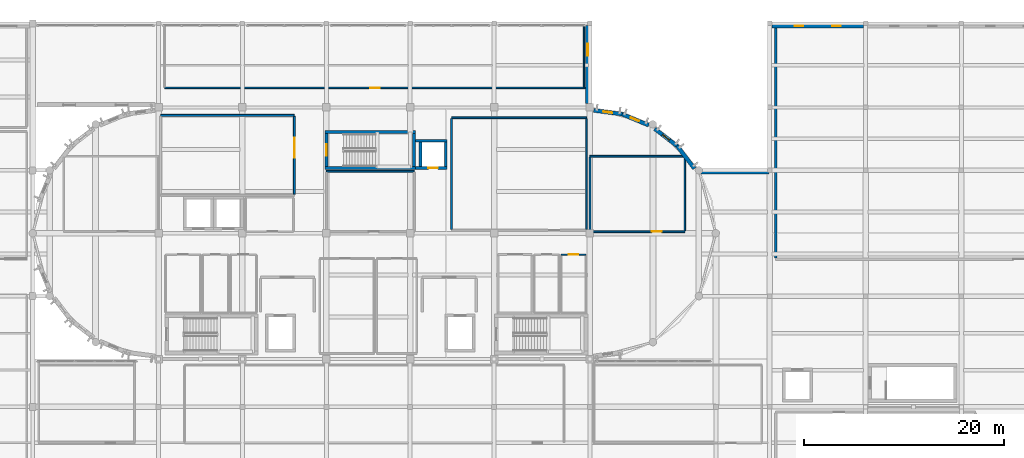
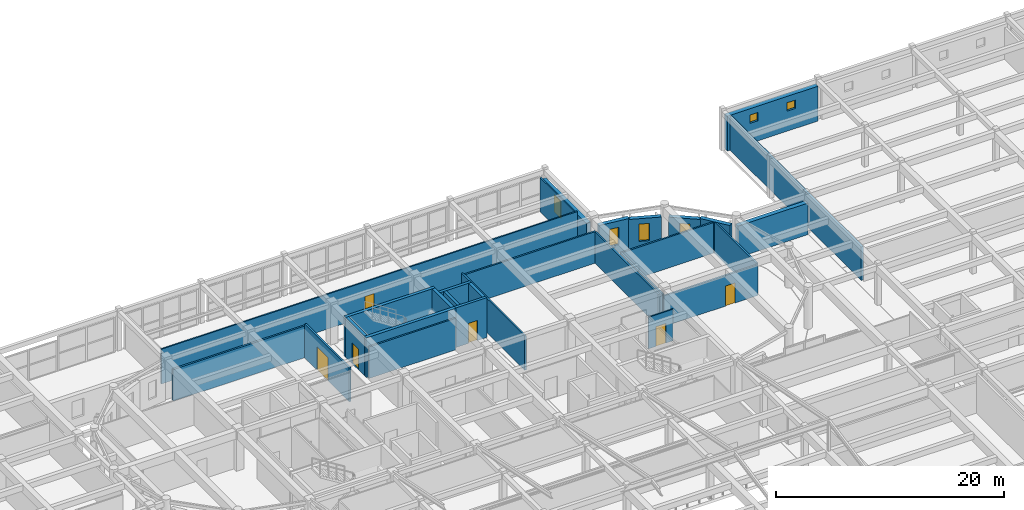
# One storey, part 72 of 91: 29 walls, 6 doors, 6 windows, 12 openings.
"""IFC4 building model written with IfcOpenShell, lengths in metres."""

from ifc_helpers import new_model, si_unit, direction, frame, frame_2d, origin, place, context, subcontext, project, spatial, rectangle, extrude, material, layer, layer_set, type_object, element, fill, save


model = new_model("IFC4")

# Units and contexts
model_context = context("Model", 3, precision=1e-05, world=origin(), true_north=direction((0.0, 1.0)))
body_context = subcontext(model_context, "Body", "Model", "MODEL_VIEW")
ifc_project = project(units=[si_unit("LENGTHUNIT", "METRE"), si_unit("AREAUNIT", "SQUARE_METRE"), si_unit("VOLUMEUNIT", "CUBIC_METRE"), si_unit("PLANEANGLEUNIT", "RADIAN"), si_unit("MASSUNIT", "GRAM", prefix="KILO")], contexts=[model_context])

# Site, building, storey
site_placement = place(None, origin())
site = spatial("IfcSite", under=ifc_project, at=site_placement, CompositionType="ELEMENT")
building_placement = place(site_placement, origin())
building = spatial("IfcBuilding", under=site, at=building_placement, Name="Tarnavel Promenade Courthouse", CompositionType="ELEMENT")
storey_placement = place(building_placement, frame((0.0, 0.0, 9.89990234375)))
storey = spatial("IfcBuildingStorey", under=building, at=storey_placement, Name="L03", CompositionType="ELEMENT", Elevation=9.89990234375)

# Walls
ifc_material_1 = material(Name="Acoustic Insulated Gypsum Stud Partition", Category="gypsum")
ifc_layer_1 = layer(ifc_material_1, 0.1650390625)
ifc_layer_set_1 = layer_set([ifc_layer_1], Name="Acoustic Insulated Gypsum Stud Partition")
wall_type_1 = type_object("IfcWallType", Name="Acoustic Insulated Gypsum Stud Partition WL-CHM-165 (165 mm)", PredefinedType="PARTITIONING", material=ifc_layer_set_1)
wall_1_placement = place(storey_placement, frame((75.60009765625, 98.0, 0.0), z_axis=(0.0, 0.0, 1.0), x_axis=(1.0, 0.0, 0.0)))
element("IfcWall", 1, at=wall_1_placement, inside=storey, type_object=wall_type_1, Name="L03 L03 Judicial Panel Deliberation Salon Partition 0532", PredefinedType="PARTITIONING", context=body_context, shape_type="SweptSolid", body=[
    extrude(rectangle(XDim=8.7998046875, YDim=0.1650390625, at=frame_2d((4.39990234375, 0.0))), origin(), (0.0, 0.0, 1.0), 3.380126953125),
])
wall_2_placement = place(storey_placement, frame((88.139892578125, 103.360107421875, 0.0), z_axis=(0.0, 0.0, 1.0), x_axis=(1.0, 0.0, 0.0)))
element("IfcWall", 2, at=wall_2_placement, inside=storey, type_object=wall_type_1, Name="L03 Sequestered Jury Room Central Partition 0536", PredefinedType="PARTITIONING", context=body_context, shape_type="SweptSolid", body=[
    extrude(rectangle(XDim=13.52001953125, YDim=0.1650390625, at=frame_2d((6.760009765625, 0.0))), origin(), (0.0, 0.0, 1.0), 3.380126953125),
])
wall_3_placement = place(storey_placement, frame((88.139892578125, 92.1826171875, 0.0), z_axis=(0.0, 0.0, 1.0), x_axis=(0.0, 1.0, 0.0)))
element("IfcWall", 3, at=wall_3_placement, inside=storey, type_object=wall_type_1, Name="L03 Sequestered Jury Room Central Partition 0538", PredefinedType="PARTITIONING", context=body_context, shape_type="SweptSolid", body=[
    extrude(rectangle(XDim=11.0849609375, YDim=0.1650390625, at=frame_2d((5.54248046875, 0.0))), origin(), (0.0, 0.0, 1.0), 3.68017578125),
])
wall_4_placement = place(storey_placement, frame((101.659912109375, 103.267578125, 0.0), z_axis=(0.0, 0.0, 1.0), x_axis=(0.0, -1.0, 0.0)))
element("IfcWall", 4, at=wall_4_placement, inside=storey, type_object=wall_type_1, Name="L03 Sequestered Jury Room Central Partition 0539", PredefinedType="PARTITIONING", context=body_context, shape_type="SweptSolid", body=[
    extrude(rectangle(XDim=11.0849609375, YDim=0.1650390625, at=frame_2d((5.54248046875, 0.0))), origin(), (0.0, 0.0, 1.0), 3.380126953125),
])
wall_5_placement = place(storey_placement, frame((102.0, 99.5, 0.0), z_axis=(0.0, 0.0, 1.0), x_axis=(1.0, 0.0, 0.0)))
element("IfcWall", 5, at=wall_5_placement, inside=storey, type_object=wall_type_1, Name="L03 L03 East Drum Rotunda Jury North Partition 0552", PredefinedType="PARTITIONING", context=body_context, shape_type="SweptSolid", body=[
    extrude(rectangle(XDim=9.5, YDim=0.1650390625, at=frame_2d((4.75, 0.0))), origin(), (0.0, 0.0, 1.0), 3.280029296875),
])

# Wall, opening, door
wall_6_placement = place(storey_placement, frame((111.5, 91.949951171875, 0.0), z_axis=(0.0, 0.0, 1.0), x_axis=(-1.0, 0.0, 0.0)))
wall_6 = element("IfcWall", 6, at=wall_6_placement, inside=storey, type_object=wall_type_1, Name="L03 L03 East Drum Rotunda Jury North Partition 0553", PredefinedType="PARTITIONING", context=body_context, shape_type="SweptSolid", body=[
    extrude(rectangle(XDim=9.5, YDim=0.1650390625, at=frame_2d((4.75, 0.0))), origin(), (0.0, 0.0, 1.0), 3.280029296875),
])
opening_1_placement = place(wall_6_placement, frame((2.300048828125, 0.0, 0.0)))
opening_1 = element("IfcOpeningElement", 7, at=opening_1_placement, cuts=wall_6, Name="Opening ID-03", PredefinedType="OPENING", context=body_context, shape_type="SweptSolid", body=[
    extrude(rectangle(XDim=1.0, YDim=2.14990234375, at=frame_2d((0.5, 1.074951171875))), frame((0.0, 0.092529296875, 0.0), z_axis=(0.0, -1.0, 0.0), x_axis=(1.0, 0.0, 0.0)), (0.0, 0.0, 1.0), 0.18505859375),
])
ifc_material_2 = material(Name="Acoustic Solid-Core Oak Jury Room Door")
door_type_1 = type_object("IfcDoorType", Name="Acoustic Solid-Core Oak Jury Room Door (DR-JRY-1000x2150)", OperationType="NOTDEFINED", PredefinedType="DOOR", material=ifc_material_2)
door_1_placement = place(opening_1_placement, origin())
door_1 = element("IfcDoor", 8, at=door_1_placement, inside=storey, type_object=door_type_1, Name="L03 L03 East Drum Rotunda Jury North Door 0158", OperationType="SINGLE_SWING_LEFT", OverallHeight=2.14990234375, OverallWidth=1.0, PredefinedType="DOOR", context=body_context, shape_type="SweptSolid", body=[
    extrude(rectangle(XDim=1.0, YDim=2.14990234375, at=frame_2d((0.5, 1.074951171875))), frame((0.0, 0.02490234375, 0.0), z_axis=(0.0, -1.0, 0.0), x_axis=(1.0, 0.0, 0.0)), (0.0, 0.0, 1.0), 0.050048828125),
])
fill(opening_1, door_1)

# Walls
for number, where, z_axis, x_axis, name in (
    (9, (102.0, 92.04248046875, 0.0), (0.0, 0.0, 1.0), (0.0, 1.0, 0.0), "L03 L03 East Drum Rotunda Jury North Partition 0554"),
    (10, (111.5, 99.407470703125, 0.0), (0.0, 0.0, 1.0), (0.0, -1.0, 0.0), "L03 L03 East Drum Rotunda Jury North Partition 0555"),
):
    element("IfcWall", number, at=place(storey_placement, frame(where, z_axis=z_axis, x_axis=x_axis)), inside=storey, type_object=wall_type_1, Name=name, PredefinedType="PARTITIONING", context=body_context, shape_type="SweptSolid", body=[
        extrude(rectangle(XDim=7.364990234375, YDim=0.1650390625, at=frame_2d((3.6826171875, 0.0))), origin(), (0.0, 0.0, 1.0), 3.380126953125),
    ])

# Wall, openings, windows
ifc_material_3 = material(Name="Concrete C40/50", Category="concrete")
ifc_layer_2 = layer(ifc_material_3, 0.4599609375)
ifc_layer_set_2 = layer_set([ifc_layer_2], Name="Concrete C40/50")
wall_type_2 = type_object("IfcWallType", Name="Concrete C40/50 WL-SEC-460 (460 mm)", PredefinedType="STANDARD", material=ifc_layer_set_2)
wall_7_placement = place(storey_placement, frame((120.2119140625, 112.56005859375, 0.0), z_axis=(0.0, 0.0, 1.0), x_axis=(1.0, 0.0, 0.0)))
wall_7 = element("IfcWall", 11, at=wall_7_placement, inside=storey, type_object=wall_type_2, Name="L03 Custody Block North Security Wall 0421", PredefinedType="STANDARD", context=body_context, shape_type="SweptSolid", body=[
    extrude(rectangle(XDim=9.171142578125, YDim=0.4599609375, at=frame_2d((4.58544921875, 0.0))), origin(), (0.0, 0.0, 1.0), 3.72998046875),
])
opening_2_placement = place(wall_7_placement, frame((2.278076171875, 0.0, 2.14990234375)))
opening_2 = element("IfcOpeningElement", 12, at=opening_2_placement, cuts=wall_7, Name="Opening W-11", PredefinedType="OPENING", context=body_context, shape_type="SweptSolid", body=[
    extrude(rectangle(XDim=0.85009765625, YDim=0.89990234375, at=frame_2d((0.425048828125, 0.449951171875))), frame((0.0, 0.239990234375, 0.0), z_axis=(0.0, -1.0, 0.0), x_axis=(1.0, 0.0, 0.0)), (0.0, 0.0, 1.0), 0.47998046875),
])
opening_3_placement = place(wall_7_placement, frame((6.048095703125, 0.0, 2.14990234375)))
opening_3 = element("IfcOpeningElement", 13, at=opening_3_placement, cuts=wall_7, Name="Opening W-11", PredefinedType="OPENING", context=body_context, shape_type="SweptSolid", body=[
    extrude(rectangle(XDim=0.85009765625, YDim=0.89990234375, at=frame_2d((0.425048828125, 0.449951171875))), frame((0.0, 0.239990234375, 0.0), z_axis=(0.0, -1.0, 0.0), x_axis=(1.0, 0.0, 0.0)), (0.0, 0.0, 1.0), 0.47998046875),
])
ifc_material_4 = material(Name="Triple Low-E Glazed Bronze-Clad Window Assembly")
window_type_1 = type_object("IfcWindowType", Name="Triple-Glazed Bronze-Clad Timber-Aluminium WIN-CUS-0850x0900", PartitioningType="SINGLE_PANEL", PredefinedType="WINDOW", material=ifc_material_4)
window_1_placement = place(opening_2_placement, origin())
window_1 = element("IfcWindow", 14, at=window_1_placement, inside=storey, type_object=window_type_1, Name="L03 Exterior Window 0521", OverallHeight=0.89990234375, OverallWidth=0.85009765625, PartitioningType="SINGLE_PANEL", PredefinedType="WINDOW", context=body_context, shape_type="SweptSolid", body=[
    extrude(rectangle(XDim=0.85009765625, YDim=0.89990234375, at=frame_2d((0.425048828125, 0.449951171875))), frame((0.0, 0.030029296875, 0.0), z_axis=(0.0, -1.0, 0.0), x_axis=(1.0, 0.0, 0.0)), (0.0, 0.0, 1.0), 0.06005859375),
])
fill(opening_2, window_1)
window_2_placement = place(opening_3_placement, origin())
window_2 = element("IfcWindow", 15, at=window_2_placement, inside=storey, type_object=window_type_1, Name="L03 Exterior Window 0522", OverallHeight=0.89990234375, OverallWidth=0.85009765625, PartitioningType="SINGLE_PANEL", PredefinedType="WINDOW", context=body_context, shape_type="SweptSolid", body=[
    extrude(rectangle(XDim=0.85009765625, YDim=0.89990234375, at=frame_2d((0.425048828125, 0.449951171875))), frame((0.0, 0.030029296875, 0.0), z_axis=(0.0, -1.0, 0.0), x_axis=(1.0, 0.0, 0.0)), (0.0, 0.0, 1.0), 0.06005859375),
])
fill(opening_3, window_2)

# Wall
ifc_layer_3 = layer(ifc_material_3, 0.280029296875)
ifc_layer_set_3 = layer_set([ifc_layer_3], Name="Concrete C40/50")
wall_type_3 = type_object("IfcWallType", Name="Concrete C40/50 WL-SHR-280 (280 mm)", PredefinedType="SHEAR", material=ifc_layer_set_3)
wall_8_placement = place(storey_placement, frame((84.5400390625, 101.06005859375, 0.0), z_axis=(0.0, 0.0, 1.0), x_axis=(1.0, 0.0, 0.0)))
element("IfcWall", 16, at=wall_8_placement, inside=storey, type_object=wall_type_3, Name="L03 L-JUD1 Lift Shaft North Wall", PredefinedType="SHEAR", context=body_context, shape_type="SweptSolid", body=[
    extrude(rectangle(XDim=3.159912109375, YDim=0.280029296875, at=frame_2d((1.580078125, 0.0))), origin(), (0.0, 0.0, 1.0), 4.25),
])

# Wall, opening, door
wall_9_placement = place(storey_placement, frame((87.699951171875, 98.340087890625, 0.0), z_axis=(0.0, 0.0, 1.0), x_axis=(-1.0, 0.0, 0.0)))
wall_9 = element("IfcWall", 17, at=wall_9_placement, inside=storey, type_object=wall_type_3, Name="L03 L-JUD1 Lift Shaft South Wall", PredefinedType="SHEAR", context=body_context, shape_type="SweptSolid", body=[
    extrude(rectangle(XDim=3.159912109375, YDim=0.280029296875, at=frame_2d((1.580078125, 0.0))), origin(), (0.0, 0.0, 1.0), 4.25),
])
opening_4_placement = place(wall_9_placement, frame((0.925048828125, 0.0, 0.0)))
opening_4 = element("IfcOpeningElement", 18, at=opening_4_placement, cuts=wall_9, Name="Opening LD-03", PredefinedType="OPENING", context=body_context, shape_type="SweptSolid", body=[
    extrude(rectangle(XDim=0.949951171875, YDim=2.14990234375, at=frame_2d((0.47509765625, 1.074951171875))), frame((0.0, 0.14990234375, 0.0), z_axis=(0.0, -1.0, 0.0), x_axis=(1.0, 0.0, 0.0)), (0.0, 0.0, 1.0), 0.300048828125),
])
ifc_material_5 = material(Name="Stainless Steel Judicial Lift Landing Sliding Door", Category="steel")
door_type_2 = type_object("IfcDoorType", Name="Stainless Steel Judicial Lift Landing Sliding Door (LD-JUD-0950x2150)", OperationType="NOTDEFINED", PredefinedType="DOOR", material=ifc_material_5)
door_2_placement = place(opening_4_placement, origin())
door_2 = element("IfcDoor", 19, at=door_2_placement, inside=storey, type_object=door_type_2, Name="L03 L-JUD1 Lift Sliding Landing Door", OperationType="DOUBLE_DOOR_SLIDING", OverallHeight=2.14990234375, OverallWidth=0.949951171875, PredefinedType="DOOR", context=body_context, shape_type="SweptSolid", body=[
    extrude(rectangle(XDim=0.949951171875, YDim=2.14990234375, at=frame_2d((0.47509765625, 1.074951171875))), frame((0.0, 0.02490234375, 0.0), z_axis=(0.0, -1.0, 0.0), x_axis=(1.0, 0.0, 0.0)), (0.0, 0.0, 1.0), 0.050048828125),
])
fill(opening_4, door_2)

# Walls
for number, where, z_axis, x_axis, name in (
    (20, (85.0400390625, 98.47998046875, 0.0), (0.0, 0.0, 1.0), (0.0, 1.0, 0.0), "L03 L-JUD1 Lift Shaft West Wall"),
    (21, (87.56005859375, 100.919921875, 0.0), (0.0, 0.0, 1.0), (0.0, -1.0, 0.0), "L03 L-JUD1 Lift Shaft East Wall"),
):
    element("IfcWall", number, at=place(storey_placement, frame(where, z_axis=z_axis, x_axis=x_axis)), inside=storey, type_object=wall_type_3, Name=name, PredefinedType="SHEAR", context=body_context, shape_type="SweptSolid", body=[
        extrude(rectangle(XDim=2.43994140625, YDim=0.280029296875, at=frame_2d((1.219970703125, 0.0))), origin(), (0.0, 0.0, 1.0), 4.25),
    ])
ifc_layer_4 = layer(ifc_material_3, 0.320068359375)
ifc_layer_set_4 = layer_set([ifc_layer_4], Name="Concrete C40/50")
wall_type_4 = type_object("IfcWallType", Name="Concrete C40/50 WL-SHR-320 (320 mm)", PredefinedType="SHEAR", material=ifc_layer_set_4)
for number, where, z_axis, x_axis, name in (
    (22, (75.4599609375, 101.919921875, 0.0), (0.0, 0.0, 1.0), (1.0, 0.0, 0.0), "L03 ST-03 Shear Core North Wall"),
    (23, (84.5400390625, 98.320068359375, 0.0), (0.0, 0.0, 1.0), (-1.0, 0.0, 0.0), "L03 ST-03 Shear Core South Wall"),
):
    element("IfcWall", number, at=place(storey_placement, frame(where, z_axis=z_axis, x_axis=x_axis)), inside=storey, type_object=wall_type_4, Name=name, PredefinedType="SHEAR", context=body_context, shape_type="SweptSolid", body=[
        extrude(rectangle(XDim=9.080078125, YDim=0.320068359375, at=frame_2d((4.5400390625, 0.0))), origin(), (0.0, 0.0, 1.0), 4.25),
    ])

# Wall, opening, door
wall_10_placement = place(storey_placement, frame((75.6201171875, 98.47998046875, 0.0), z_axis=(0.0, 0.0, 1.0), x_axis=(0.0, 1.0, 0.0)))
wall_10 = element("IfcWall", 24, at=wall_10_placement, inside=storey, type_object=wall_type_4, Name="L03 ST-03 Shear Core West Landing Wall", PredefinedType="SHEAR", context=body_context, shape_type="SweptSolid", body=[
    extrude(rectangle(XDim=3.280029296875, YDim=0.320068359375, at=frame_2d((1.64013671875, 0.0))), origin(), (0.0, 0.0, 1.0), 4.25),
])
opening_5_placement = place(wall_10_placement, frame((1.06494140625, 0.0, 0.0)))
opening_5 = element("IfcOpeningElement", 25, at=opening_5_placement, cuts=wall_10, Name="Opening FD-01", PredefinedType="OPENING", context=body_context, shape_type="SweptSolid", body=[
    extrude(rectangle(XDim=1.14990234375, YDim=2.199951171875, at=frame_2d((0.574951171875, 1.10009765625))), frame((0.0, 0.169921875, 0.0), z_axis=(0.0, -1.0, 0.0), x_axis=(1.0, 0.0, 0.0)), (0.0, 0.0, 1.0), 0.340087890625),
])
ifc_material_6 = material(Name="Steel Fire-Rated Stair Core Door", Category="steel")
door_type_3 = type_object("IfcDoorType", Name="Steel Fire-Rated Stair Core Door (DR-ST-1150x2200)", OperationType="NOTDEFINED", PredefinedType="DOOR", material=ifc_material_6)
door_3_placement = place(opening_5_placement, origin())
door_3 = element("IfcDoor", 26, at=door_3_placement, inside=storey, type_object=door_type_3, Name="L03 ST-03 Protected Exit Stair Door", OperationType="SINGLE_SWING_LEFT", OverallHeight=2.199951171875, OverallWidth=1.14990234375, PredefinedType="DOOR", context=body_context, shape_type="SweptSolid", body=[
    extrude(rectangle(XDim=1.14990234375, YDim=2.199951171875, at=frame_2d((0.574951171875, 1.10009765625))), frame((0.0, 0.02490234375, 0.0), z_axis=(0.0, -1.0, 0.0), x_axis=(1.0, 0.0, 0.0)), (0.0, 0.0, 1.0), 0.050048828125),
])
fill(opening_5, door_3)

# Walls
wall_11_placement = place(storey_placement, frame((84.3798828125, 101.760009765625, 0.0), z_axis=(0.0, 0.0, 1.0), x_axis=(0.0, -1.0, 0.0)))
element("IfcWall", 27, at=wall_11_placement, inside=storey, type_object=wall_type_4, Name="L03 ST-03 Shear Core East Wall", PredefinedType="SHEAR", context=body_context, shape_type="SweptSolid", body=[
    extrude(rectangle(XDim=3.280029296875, YDim=0.320068359375, at=frame_2d((1.64013671875, 0.0))), origin(), (0.0, 0.0, 1.0), 4.25),
])
ifc_material_7 = material(Name="Concrete Masonry Fire Compartment Wall", Category="masonry")
ifc_layer_5 = layer(ifc_material_7, 0.22998046875)
ifc_layer_set_5 = layer_set([ifc_layer_5], Name="Concrete Masonry Fire Compartment Wall")
wall_type_5 = type_object("IfcWallType", Name="Concrete Masonry Fire Compartment Wall WL-CMP-230 (230 mm)", PredefinedType="STANDARD", material=ifc_layer_set_5)
wall_12_placement = place(storey_placement, frame((120.60009765625, 89.324951171875, 0.0), z_axis=(0.0, 0.0, 1.0), x_axis=(0.0, 1.0, 0.0)))
element("IfcWall", 28, at=wall_12_placement, inside=storey, type_object=wall_type_5, Name="L03 Custody Appeals Review and Marshals' Suite Partition 0522", PredefinedType="STANDARD", context=body_context, shape_type="SweptSolid", body=[
    extrude(rectangle(XDim=23.010986328125, YDim=0.22998046875, at=frame_2d((11.50537109375, 0.0))), origin(), (0.0, 0.0, 1.0), 3.580078125),
])
ifc_material_8 = material(Name="Double-Stud Acoustic Courtroom Partition Assembly", Category="gypsum")
ifc_layer_6 = layer(ifc_material_8, 0.18505859375)
ifc_layer_set_6 = layer_set([ifc_layer_6], Name="Double-Stud Acoustic Courtroom Partition Assembly")
wall_type_6 = type_object("IfcWallType", Name="Double-Stud Acoustic Courtroom Partition Assembly WL-CRT-185 (185 mm)", PredefinedType="PARTITIONING", material=ifc_layer_set_6)
wall_13_placement = place(storey_placement, frame((59.0, 103.60009765625, 0.0), z_axis=(0.0, 0.0, 1.0), x_axis=(1.0, 0.0, 0.0)))
element("IfcWall", 29, at=wall_13_placement, inside=storey, type_object=wall_type_6, Name="L03 High Criminal Hearing Courtroom Partition 0524", PredefinedType="PARTITIONING", context=body_context, shape_type="SweptSolid", body=[
    extrude(rectangle(XDim=13.39990234375, YDim=0.18505859375, at=frame_2d((6.699951171875, 0.0))), origin(), (0.0, 0.0, 1.0), 3.380126953125),
])

# Wall, opening, door
wall_14_placement = place(storey_placement, frame((72.39990234375, 103.49755859375, 0.0), z_axis=(0.0, 0.0, 1.0), x_axis=(0.0, -1.0, 0.0)))
wall_14 = element("IfcWall", 30, at=wall_14_placement, inside=storey, type_object=wall_type_6, Name="L03 High Criminal Hearing Courtroom Partition 0527", PredefinedType="PARTITIONING", context=body_context, shape_type="SweptSolid", body=[
    extrude(rectangle(XDim=7.795166015625, YDim=0.18505859375, at=frame_2d((3.8974609375, 0.0))), origin(), (0.0, 0.0, 1.0), 3.630126953125),
])
opening_6_placement = place(wall_14_placement, frame((2.13330078125, 0.0, 0.0)))
opening_6 = element("IfcOpeningElement", 31, at=opening_6_placement, cuts=wall_14, Name="Opening ID-01", PredefinedType="OPENING", context=body_context, shape_type="SweptSolid", body=[
    extrude(rectangle(XDim=2.0, YDim=2.5, at=frame_2d((1.0, 1.25))), frame((0.0, 0.1025390625, 0.0), z_axis=(0.0, -1.0, 0.0), x_axis=(1.0, 0.0, 0.0)), (0.0, 0.0, 1.0), 0.205078125),
])
ifc_material_9 = material(Name="Solid Oak Acoustic Courtroom Double Door")
door_type_4 = type_object("IfcDoorType", Name="Solid Oak Acoustic Courtroom Double Door (DR-CRT-2000x2500)", OperationType="NOTDEFINED", PredefinedType="DOOR", material=ifc_material_9)
door_4_placement = place(opening_6_placement, origin())
door_4 = element("IfcDoor", 32, at=door_4_placement, inside=storey, type_object=door_type_4, Name="L03 High Criminal Hearing Courtroom Door 0151", OperationType="DOUBLE_DOOR_SINGLE_SWING", OverallHeight=2.5, OverallWidth=2.0, PredefinedType="DOOR", context=body_context, shape_type="SweptSolid", body=[
    extrude(rectangle(XDim=2.0, YDim=2.5, at=frame_2d((1.0, 1.25))), frame((0.0, 0.02490234375, 0.0), z_axis=(0.0, -1.0, 0.0), x_axis=(1.0, 0.0, 0.0)), (0.0, 0.0, 1.0), 0.050048828125),
])
fill(opening_6, door_4)

# Wall, opening, window
ifc_material_10 = material(Name="Limestone Ashlar Faced Insulated Brick Masonry", Category="masonry")
ifc_layer_7 = layer(ifc_material_10, 0.43994140625)
ifc_layer_set_7 = layer_set([ifc_layer_7], Name="Limestone Ashlar Faced Insulated Brick Masonry")
wall_type_7 = type_object("IfcWallType", Name="Limestone Ashlar Faced Insulated Brick Masonry WL-EXT-440 (440 mm)", PredefinedType="STANDARD", material=ifc_layer_set_7)
wall_15_placement = place(storey_placement, frame((101.780029296875, 112.5830078125, 0.0), z_axis=(0.0, 0.0, 1.0), x_axis=(0.0, -1.0, 0.0)))
wall_15 = element("IfcWall", 33, at=wall_15_placement, inside=storey, type_object=wall_type_7, Name="L03 North Foyer East Return Wall 0058", PredefinedType="STANDARD", context=body_context, shape_type="SweptSolid", body=[
    extrude(rectangle(XDim=7.81591796875, YDim=0.43994140625, at=frame_2d((3.907958984375, 0.0))), origin(), (0.0, 0.0, 1.0), 3.380126953125),
])
opening_7_placement = place(wall_15_placement, frame((1.80810546875, 0.0, 0.89990234375)))
opening_7 = element("IfcOpeningElement", 34, at=opening_7_placement, cuts=wall_15, Name="Opening W-05", PredefinedType="OPENING", context=body_context, shape_type="SweptSolid", body=[
    extrude(rectangle(XDim=1.199951171875, YDim=1.85009765625, at=frame_2d((0.60009765625, 0.925048828125))), frame((0.0, 0.22998046875, 0.0), z_axis=(0.0, -1.0, 0.0), x_axis=(1.0, 0.0, 0.0)), (0.0, 0.0, 1.0), 0.4599609375),
])
window_type_2 = type_object("IfcWindowType", Name="Triple-Glazed Bronze-Clad Timber-Aluminium WIN-CHM-1200x1850", PartitioningType="SINGLE_PANEL", PredefinedType="WINDOW", material=ifc_material_4)
window_3_placement = place(opening_7_placement, origin())
window_3 = element("IfcWindow", 35, at=window_3_placement, inside=storey, type_object=window_type_2, Name="L03 Exterior Window 0034", OverallHeight=1.85009765625, OverallWidth=1.199951171875, PartitioningType="SINGLE_PANEL", PredefinedType="WINDOW", context=body_context, shape_type="SweptSolid", body=[
    extrude(rectangle(XDim=1.199951171875, YDim=1.85009765625, at=frame_2d((0.60009765625, 0.925048828125))), frame((0.0, 0.030029296875, 0.0), z_axis=(0.0, -1.0, 0.0), x_axis=(1.0, 0.0, 0.0)), (0.0, 0.0, 1.0), 0.06005859375),
])
fill(opening_7, window_3)

# Wall
wall_16_placement = place(storey_placement, frame((112.85009765625, 97.949951171875, 0.0), z_axis=(0.0, 0.0, 1.0), x_axis=(1.0, 0.0, 0.0)))
element("IfcWall", 36, at=wall_16_placement, inside=storey, type_object=wall_type_7, Name="L03 East Custody Link Neck North Wall 0442", PredefinedType="STANDARD", context=body_context, shape_type="SweptSolid", body=[
    extrude(rectangle(XDim=7.099853515625, YDim=0.43994140625, at=frame_2d((3.5498046875, 0.0))), origin(), (0.0, 0.0, 1.0), 3.380126953125),
])

# Wall, opening, door
ifc_material_11 = material(Name="Metal-Stud Acoustic Gypsum Partition", Category="gypsum")
ifc_layer_8 = layer(ifc_material_11, 0.135009765625)
ifc_layer_set_8 = layer_set([ifc_layer_8], Name="Metal-Stud Acoustic Gypsum Partition")
wall_type_8 = type_object("IfcWallType", Name="Metal-Stud Acoustic Gypsum Partition WL-OFF-135 (135 mm)", PredefinedType="PARTITIONING", material=ifc_layer_set_8)
wall_17_placement = place(storey_placement, frame((101.56591796875, 106.35009765625, 0.0), z_axis=(0.0, 0.0, 1.0), x_axis=(-1.0, 0.0, 0.0)))
wall_17 = element("IfcWall", 37, at=wall_17_placement, inside=storey, type_object=wall_type_8, Name="L03 Upper Balcony Case Management Clerks' Office Partition 0504", PredefinedType="PARTITIONING", context=body_context, shape_type="SweptSolid", body=[
    extrude(rectangle(XDim=42.166015625, YDim=0.135009765625, at=frame_2d((21.0830078125, 0.0))), origin(), (0.0, 0.0, 1.0), 3.72998046875),
])
opening_8_placement = place(wall_17_placement, frame((20.60791015625, 0.0, 0.0)))
opening_8 = element("IfcOpeningElement", 38, at=opening_8_placement, cuts=wall_17, Name="Opening ID-06", PredefinedType="OPENING", context=body_context, shape_type="SweptSolid", body=[
    extrude(rectangle(XDim=0.949951171875, YDim=2.14990234375, at=frame_2d((0.47509765625, 1.074951171875))), frame((0.0, 0.077392578125, 0.0), z_axis=(0.0, -1.0, 0.0), x_axis=(1.0, 0.0, 0.0)), (0.0, 0.0, 1.0), 0.155029296875),
])
ifc_material_12 = material(Name="Acoustic Timber Veneer Office Door", Category="wood")
door_type_5 = type_object("IfcDoorType", Name="Acoustic Timber Veneer Office Door (DR-OFF-0950x2150)", OperationType="NOTDEFINED", PredefinedType="DOOR", material=ifc_material_12)
door_5_placement = place(opening_8_placement, origin())
door_5 = element("IfcDoor", 39, at=door_5_placement, inside=storey, type_object=door_type_5, Name="L03 Upper Balcony Case Management Clerks' Office Door 0144", OperationType="SINGLE_SWING_RIGHT", OverallHeight=2.14990234375, OverallWidth=0.949951171875, PredefinedType="DOOR", context=body_context, shape_type="SweptSolid", body=[
    extrude(rectangle(XDim=0.949951171875, YDim=2.14990234375, at=frame_2d((0.47509765625, 1.074951171875))), frame((0.0, 0.02490234375, 0.0), z_axis=(0.0, -1.0, 0.0), x_axis=(1.0, 0.0, 0.0)), (0.0, 0.0, 1.0), 0.050048828125),
])
fill(opening_8, door_5)

# Wall
wall_18_placement = place(storey_placement, frame((101.39990234375, 112.489990234375, 0.0), z_axis=(0.0, 0.0, 1.0), x_axis=(0.0, -1.0, 0.0)))
element("IfcWall", 40, at=wall_18_placement, inside=storey, type_object=wall_type_8, Name="L03 Upper Balcony Case Management Clerks' Office Partition 0506", PredefinedType="PARTITIONING", context=body_context, shape_type="SweptSolid", body=[
    extrude(rectangle(XDim=6.0625, YDim=0.135009765625, at=frame_2d((3.03125, 0.0))), origin(), (0.0, 0.0, 1.0), 3.68017578125),
])

# Wall, opening, door
ifc_material_13 = material(Name="Moisture-Resistant Tile-Backed Stud Partition", Category="gypsum")
ifc_layer_9 = layer(ifc_material_13, 0.125)
ifc_layer_set_9 = layer_set([ifc_layer_9], Name="Moisture-Resistant Tile-Backed Stud Partition")
wall_type_9 = type_object("IfcWallType", Name="Moisture-Resistant Tile-Backed Stud Partition WL-WET-125 (125 mm)", PredefinedType="PARTITIONING", material=ifc_layer_set_9)
wall_19_placement = place(storey_placement, frame((99.10009765625, 89.64990234375, 0.0), z_axis=(0.0, 0.0, 1.0), x_axis=(1.0, 0.0, 0.0)))
wall_19 = element("IfcWall", 41, at=wall_19_placement, inside=storey, type_object=wall_type_9, Name="L03 Accessible Staff WC Partition 0420", PredefinedType="PARTITIONING", context=body_context, shape_type="SweptSolid", body=[
    extrude(rectangle(XDim=2.5, YDim=0.125, at=frame_2d((1.25, 0.0))), origin(), (0.0, 0.0, 1.0), 3.380126953125),
])
opening_9_placement = place(wall_19_placement, frame((0.75, 0.0, 0.0)))
opening_9 = element("IfcOpeningElement", 42, at=opening_9_placement, cuts=wall_19, Name="Opening ID-09", PredefinedType="OPENING", context=body_context, shape_type="SweptSolid", body=[
    extrude(rectangle(XDim=1.0, YDim=2.10009765625, at=frame_2d((0.5, 1.050048828125))), frame((0.0, 0.072509765625, 0.0), z_axis=(0.0, -1.0, 0.0), x_axis=(1.0, 0.0, 0.0)), (0.0, 0.0, 1.0), 0.14501953125),
])
ifc_material_14 = material(Name="Wide Accessible Restroom Outward Door")
door_type_6 = type_object("IfcDoorType", Name="Wide Accessible Restroom Outward Door (DR-AWC-1000x2100)", OperationType="NOTDEFINED", PredefinedType="DOOR", material=ifc_material_14)
door_6_placement = place(opening_9_placement, origin())
door_6 = element("IfcDoor", 43, at=door_6_placement, inside=storey, type_object=door_type_6, Name="L03 Accessible Staff WC Door 0120", OperationType="SINGLE_SWING_RIGHT", OverallHeight=2.10009765625, OverallWidth=1.0, PredefinedType="DOOR", context=body_context, shape_type="SweptSolid", body=[
    extrude(rectangle(XDim=1.0, YDim=2.10009765625, at=frame_2d((0.5, 1.050048828125))), frame((0.0, 0.02490234375, 0.0), z_axis=(0.0, -1.0, 0.0), x_axis=(1.0, 0.0, 0.0)), (0.0, 0.0, 1.0), 0.050048828125),
])
fill(opening_9, door_6)

# Wall
ifc_material_15 = material(Name="Patinated Copper-Bronze Insulated Drum Wall Assembly", Category="masonry")
ifc_layer_10 = layer(ifc_material_15, 0.39501953125)
ifc_layer_set_10 = layer_set([ifc_layer_10], Name="Patinated Copper-Bronze Insulated Drum Wall Assembly")
wall_type_10 = type_object("IfcWallType", Name="Patinated Copper-Bronze Insulated Drum Wall Assembly WL-DRUM-395 (395 mm)", PredefinedType="ELEMENTEDWALL", material=ifc_layer_set_10)
wall_20_placement = place(storey_placement, frame((112.4609375, 98.277099609375, 0.0), z_axis=(0.0, 0.0, 1.0), x_axis=(-0.608770300127, 0.793346533164, 0.0)))
element("IfcWall", 44, at=wall_20_placement, inside=storey, type_object=wall_type_10, Name="L03 E Copper Drum Chord Wall 09 0070", PredefinedType="ELEMENTEDWALL", context=body_context, shape_type="SweptSolid", body=[
    extrude(rectangle(XDim=2.874267578125, YDim=0.39501953125, at=frame_2d((1.43701171875, 0.0))), origin(), (0.0, 0.0, 1.0), 3.380126953125),
])

# Wall, opening, window
wall_21_placement = place(storey_placement, frame((110.75732421875, 100.51123046875, 0.0), z_axis=(0.0, 0.0, 1.0), x_axis=(-0.793346533164, 0.608770300127, 0.0)))
wall_21 = element("IfcWall", 45, at=wall_21_placement, inside=storey, type_object=wall_type_10, Name="L03 E Copper Drum Chord Wall 10 0071", PredefinedType="ELEMENTEDWALL", context=body_context, shape_type="SweptSolid", body=[
    extrude(rectangle(XDim=2.874267578125, YDim=0.39501953125, at=frame_2d((1.43701171875, 0.0))), origin(), (0.0, 0.0, 1.0), 3.280029296875),
])
opening_10_placement = place(wall_21_placement, frame((0.987060546875, 0.0, 0.85009765625)))
opening_10 = element("IfcOpeningElement", 46, at=opening_10_placement, cuts=wall_21, Name="Opening W-08", PredefinedType="OPENING", context=body_context, shape_type="SweptSolid", body=[
    extrude(rectangle(XDim=0.89990234375, YDim=1.85009765625, at=frame_2d((0.449951171875, 0.925048828125))), frame((0.0, 0.20751953125, 0.0), z_axis=(0.0, -1.0, 0.0), x_axis=(1.0, 0.0, 0.0)), (0.0, 0.0, 1.0), 0.4150390625),
])
window_type_3 = type_object("IfcWindowType", Name="Triple-Glazed Bronze-Clad Timber-Aluminium WIN-DRM-0900x1850", PartitioningType="SINGLE_PANEL", PredefinedType="WINDOW", material=ifc_material_4)
window_4_placement = place(opening_10_placement, origin())
window_4 = element("IfcWindow", 47, at=window_4_placement, inside=storey, type_object=window_type_3, Name="L03 Exterior Window 0044", OverallHeight=1.85009765625, OverallWidth=0.89990234375, PartitioningType="SINGLE_PANEL", PredefinedType="WINDOW", context=body_context, shape_type="SweptSolid", body=[
    extrude(rectangle(XDim=0.89990234375, YDim=1.85009765625, at=frame_2d((0.449951171875, 0.925048828125))), frame((0.0, 0.030029296875, 0.0), z_axis=(0.0, -1.0, 0.0), x_axis=(1.0, 0.0, 0.0)), (0.0, 0.0, 1.0), 0.06005859375),
])
fill(opening_10, window_4)

wall_22_placement = place(storey_placement, frame((107.888427734375, 102.61181640625, 0.0), z_axis=(0.0, 0.0, 1.0), x_axis=(-0.923871445027, 0.382702956696, 0.0)))
wall_22 = element("IfcWall", 48, at=wall_22_placement, inside=storey, type_object=wall_type_10, Name="L03 E Copper Drum Chord Wall 11 0072", PredefinedType="ELEMENTEDWALL", context=body_context, shape_type="SweptSolid", body=[
    extrude(rectangle(XDim=2.947265625, YDim=0.39501953125, at=frame_2d((1.4736328125, 0.0))), origin(), (0.0, 0.0, 1.0), 3.280029296875),
])
opening_11_placement = place(wall_22_placement, frame((1.06005859375, 0.0, 0.85009765625)))
opening_11 = element("IfcOpeningElement", 49, at=opening_11_placement, cuts=wall_22, Name="Opening W-08", PredefinedType="OPENING", context=body_context, shape_type="SweptSolid", body=[
    extrude(rectangle(XDim=0.89990234375, YDim=1.85009765625, at=frame_2d((0.449951171875, 0.925048828125))), frame((0.0, 0.20751953125, 0.0), z_axis=(0.0, -1.0, 0.0), x_axis=(1.0, 0.0, 0.0)), (0.0, 0.0, 1.0), 0.4150390625),
])
window_5_placement = place(opening_11_placement, origin())
window_5 = element("IfcWindow", 50, at=window_5_placement, inside=storey, type_object=window_type_3, Name="L03 Exterior Window 0045", OverallHeight=1.85009765625, OverallWidth=0.89990234375, PartitioningType="SINGLE_PANEL", PredefinedType="WINDOW", context=body_context, shape_type="SweptSolid", body=[
    extrude(rectangle(XDim=0.89990234375, YDim=1.85009765625, at=frame_2d((0.449951171875, 0.925048828125))), frame((0.0, 0.030029296875, 0.0), z_axis=(0.0, -1.0, 0.0), x_axis=(1.0, 0.0, 0.0)), (0.0, 0.0, 1.0), 0.06005859375),
])
fill(opening_11, window_5)

wall_23_placement = place(storey_placement, frame((105.228515625, 103.722900390625, 0.0), z_axis=(0.0, 0.0, 1.0), x_axis=(-0.991451982445, 0.130472090904, 0.0)))
wall_23 = element("IfcWall", 51, at=wall_23_placement, inside=storey, type_object=wall_type_10, Name="L03 E Copper Drum Chord Wall 12 0073", PredefinedType="ELEMENTEDWALL", context=body_context, shape_type="SweptSolid", body=[
    extrude(rectangle(XDim=2.874267578125, YDim=0.39501953125, at=frame_2d((1.43701171875, 0.0))), origin(), (0.0, 0.0, 1.0), 3.380126953125),
])
opening_12_placement = place(wall_23_placement, frame((0.987060546875, 0.0, 0.85009765625)))
opening_12 = element("IfcOpeningElement", 52, at=opening_12_placement, cuts=wall_23, Name="Opening W-08", PredefinedType="OPENING", context=body_context, shape_type="SweptSolid", body=[
    extrude(rectangle(XDim=0.89990234375, YDim=1.85009765625, at=frame_2d((0.449951171875, 0.925048828125))), frame((0.0, 0.20751953125, 0.0), z_axis=(0.0, -1.0, 0.0), x_axis=(1.0, 0.0, 0.0)), (0.0, 0.0, 1.0), 0.4150390625),
])
window_6_placement = place(opening_12_placement, origin())
window_6 = element("IfcWindow", 53, at=window_6_placement, inside=storey, type_object=window_type_3, Name="L03 Exterior Window 0046", OverallHeight=1.85009765625, OverallWidth=0.89990234375, PartitioningType="SINGLE_PANEL", PredefinedType="WINDOW", context=body_context, shape_type="SweptSolid", body=[
    extrude(rectangle(XDim=0.89990234375, YDim=1.85009765625, at=frame_2d((0.449951171875, 0.925048828125))), frame((0.0, 0.030029296875, 0.0), z_axis=(0.0, -1.0, 0.0), x_axis=(1.0, 0.0, 0.0)), (0.0, 0.0, 1.0), 0.06005859375),
])
fill(opening_12, window_6)

save(model, "model.ifc")
